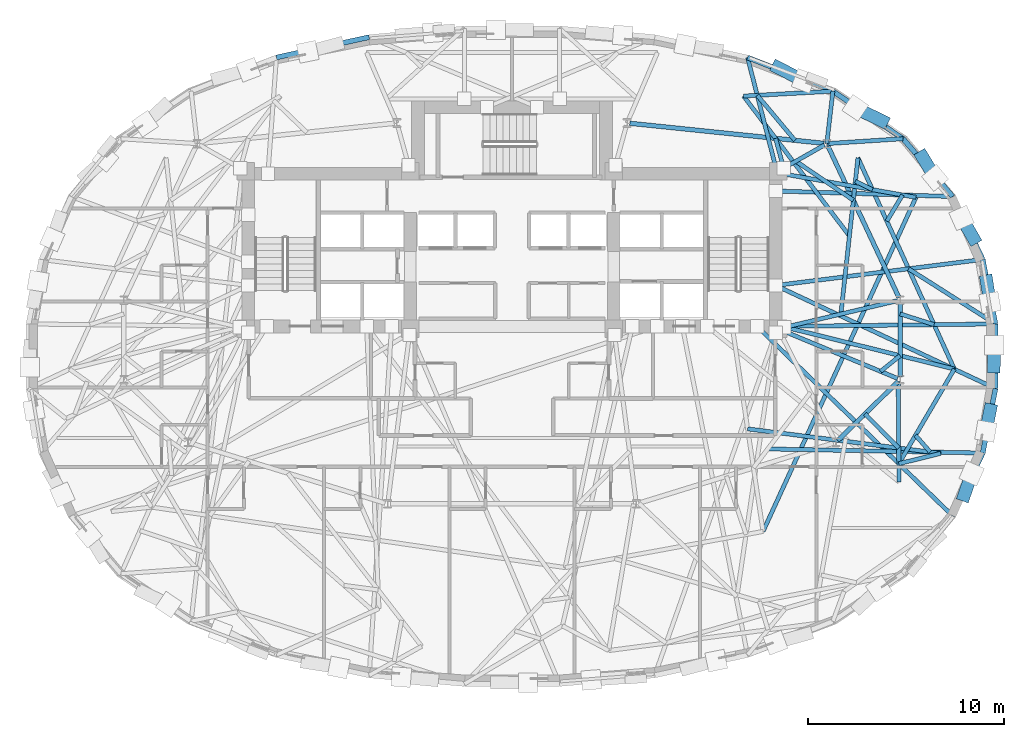
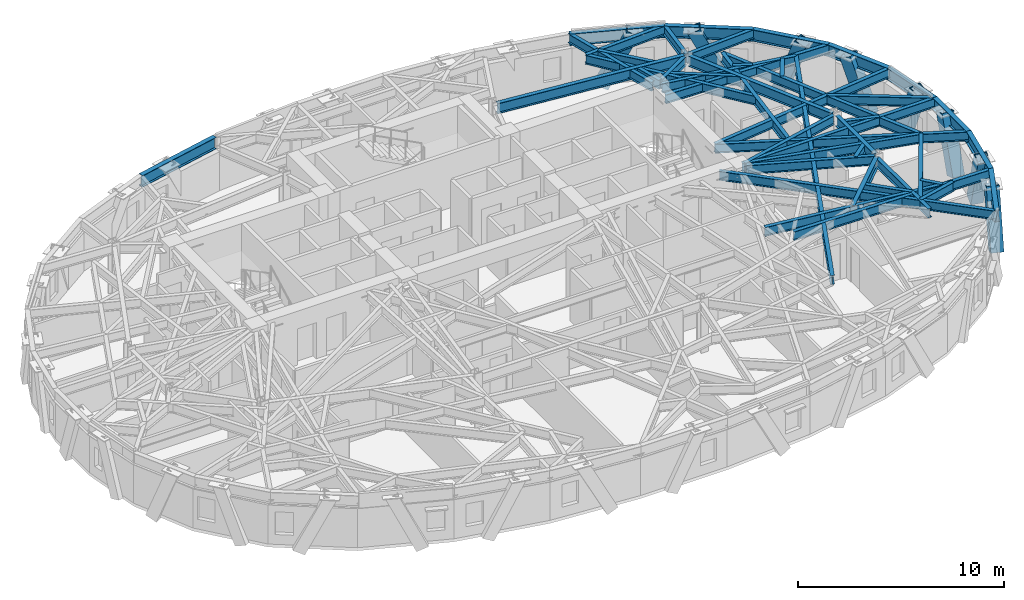
# One storey, part 4 of 15: 46 beams, 8 members.
"""IFC4 building model written with IfcOpenShell, lengths in metres."""

from ifc_helpers import new_model, si_unit, direction, frame, origin, origin_2d, place, context, subcontext, project, spatial, hollow_rectangle, i_section, extrude, material, material_profile, profile_set, type_object, element, save


model = new_model("IFC4")

# Units and contexts
model_context = context("Model", 3, precision=1e-05, world=origin(), true_north=direction((0.0, 1.0)))
body_context = subcontext(model_context, "Body", "Model", "MODEL_VIEW")
ifc_project = project(units=[si_unit("LENGTHUNIT", "METRE"), si_unit("AREAUNIT", "SQUARE_METRE"), si_unit("VOLUMEUNIT", "CUBIC_METRE"), si_unit("PLANEANGLEUNIT", "RADIAN"), si_unit("MASSUNIT", "GRAM", prefix="KILO")], contexts=[model_context])

# Site, building, storey
site_placement = place(None, origin())
site = spatial("IfcSite", under=ifc_project, at=site_placement, CompositionType="ELEMENT")
building_placement = place(site_placement, origin())
building = spatial("IfcBuilding", under=site, at=building_placement, Name="Keldmark Tower", CompositionType="ELEMENT")
storey_placement = place(building_placement, frame((0.0, 0.0, 150.199951171875)))
storey = spatial("IfcBuildingStorey", under=building, at=storey_placement, Name="L40", CompositionType="ELEMENT", Elevation=150.199951171875)

# Members
ifc_material_1 = material(Name="Steel ASTM A572 Grade 50", Category="steel")
ifc_material_profile_1 = material_profile(ifc_material_1, hollow_rectangle(XDim=0.64990234375, YDim=0.64990234375, WallThickness=0.0400390625, at=origin_2d()), Name="BOX650X650X40")
ifc_profile_set_1 = profile_set([ifc_material_profile_1], Name="Steel ASTM A572 Grade 50")
member_type = type_object("IfcMemberType", Name="Diagrid Zone 3 Brace BOX650X650X40", PredefinedType="BRACE", material=ifc_profile_set_1)
member_1_placement = place(storey_placement, frame((24.240234375, 3.848388671875, -0.260009765625), z_axis=(0.054240986577, -0.330032741146, 0.942409839267), x_axis=(0.986762068157, 0.162174661544, 0.0)))
element("IfcMember", 1, at=member_1_placement, inside=storey, type_object=member_type, Name="L40 Perimeter Diagrid Brace 01A", PredefinedType="BRACE", context=body_context, shape_type="SweptSolid", body=[
    extrude(hollow_rectangle(XDim=0.64990234375, YDim=0.64990234375, WallThickness=0.0400390625, at=origin_2d()), origin(), (0.0, 0.0, 1.0), 3.353271484375),
])
member_2_placement = place(storey_placement, frame((23.574951171875, 6.026123046875, -0.260009765625), z_axis=(-0.179422195456, 0.308323257839, 0.934207923566), x_axis=(-0.864306761674, -0.502965030319, 0.0)))
element("IfcMember", 2, at=member_2_placement, inside=storey, type_object=member_type, Name="L40 Perimeter Diagrid Brace 01B", PredefinedType="BRACE", context=body_context, shape_type="SweptSolid", body=[
    extrude(hollow_rectangle(XDim=0.64990234375, YDim=0.64990234375, WallThickness=0.0400390625, at=origin_2d()), origin(), (0.0, 0.0, 1.0), 3.3828125),
])
member_3_placement = place(storey_placement, frame((20.96044921875, 10.195068359375, -0.260009765625), z_axis=(0.192310719836, -0.317696448398, 0.928485623858), x_axis=(0.855475309795, 0.517843600262, 0.0)))
element("IfcMember", 3, at=member_3_placement, inside=storey, type_object=member_type, Name="L40 Perimeter Diagrid Brace 02A", PredefinedType="BRACE", context=body_context, shape_type="SweptSolid", body=[
    extrude(hollow_rectangle(XDim=0.64990234375, YDim=0.64990234375, WallThickness=0.0400390625, at=origin_2d()), origin(), (0.0, 0.0, 1.0), 3.403564453125),
])
member_4_placement = place(storey_placement, frame((18.9306640625, 12.00732421875, -0.260009765625), z_axis=(-0.394893634989, 0.194706909084, 0.897857581468), x_axis=(-0.442228252269, -0.8969025437, 0.0)))
element("IfcMember", 4, at=member_4_placement, inside=storey, type_object=member_type, Name="L40 Perimeter Diagrid Brace 02B", PredefinedType="BRACE", context=body_context, shape_type="SweptSolid", body=[
    extrude(hollow_rectangle(XDim=0.64990234375, YDim=0.64990234375, WallThickness=0.0400390625, at=origin_2d()), origin(), (0.0, 0.0, 1.0), 3.519775390625),
])
member_5_placement = place(storey_placement, frame((13.562744140625, 14.759765625, -0.260009765625), z_axis=(0.382519162566, -0.197744138724, 0.902538833441), x_axis=(0.45922027239, 0.888322431005, 0.0)))
element("IfcMember", 5, at=member_5_placement, inside=storey, type_object=member_type, Name="L40 Perimeter Diagrid Brace 03A", PredefinedType="BRACE", context=body_context, shape_type="SweptSolid", body=[
    extrude(hollow_rectangle(XDim=0.64990234375, YDim=0.64990234375, WallThickness=0.0400390625, at=origin_2d()), origin(), (0.0, 0.0, 1.0), 3.50146484375),
])
member_6_placement = place(storey_placement, frame((23.099853515625, -7.100830078125, -0.260009765625), z_axis=(0.113870706024, 0.330174373919, 0.937026331069), x_axis=(-0.945357561986, 0.326035396844, 0.0)))
element("IfcMember", 6, at=member_6_placement, inside=storey, type_object=member_type, Name="L40 Perimeter Diagrid Brace 15B", PredefinedType="BRACE", context=body_context, shape_type="SweptSolid", body=[
    extrude(hollow_rectangle(XDim=0.64990234375, YDim=0.64990234375, WallThickness=0.0400390625, at=origin_2d()), origin(), (0.0, 0.0, 1.0), 3.37255859375),
])
member_7_placement = place(storey_placement, frame((24.430908203125, -2.7333984375, -0.260009765625), z_axis=(-0.066641570554, -0.326798608827, 0.942741518309), x_axis=(0.979834607176, -0.199810266451, 0.0)))
element("IfcMember", 7, at=member_7_placement, inside=storey, type_object=member_type, Name="L40 Perimeter Diagrid Brace 16A", PredefinedType="BRACE", context=body_context, shape_type="SweptSolid", body=[
    extrude(hollow_rectangle(XDim=0.64990234375, YDim=0.64990234375, WallThickness=0.0400390625, at=origin_2d()), origin(), (0.0, 0.0, 1.0), 3.35205078125),
])
member_8_placement = place(storey_placement, frame((24.61669921875, -0.543212890625, -0.260009765625), z_axis=(0.006640294408, 0.328366206996, 0.944527151856), x_axis=(-0.999795593554, 0.02021808867, 0.0)))
element("IfcMember", 8, at=member_8_placement, inside=storey, type_object=member_type, Name="L40 Perimeter Diagrid Brace 16B", PredefinedType="BRACE", context=body_context, shape_type="SweptSolid", body=[
    extrude(hollow_rectangle(XDim=0.64990234375, YDim=0.64990234375, WallThickness=0.0400390625, at=origin_2d()), origin(), (0.0, 0.0, 1.0), 3.345703125),
])

# Beams
ifc_material_2 = material(Name="Steel ASTM A992 Grade 50", Category="steel")
ifc_material_profile_2 = material_profile(ifc_material_2, i_section(OverallWidth=0.22900390625, OverallDepth=0.612060546875, WebThickness=0.011962890625, FlangeThickness=0.01953125, at=origin_2d()), Name="W24X84")
ifc_profile_set_2 = profile_set([ifc_material_profile_2], Name="Steel ASTM A992 Grade 50")
beam_type_1 = type_object("IfcBeamType", Name="Primary Floor Girder W24X84", PredefinedType="BEAM", material=ifc_profile_set_2)
beam_1_placement = place(storey_placement, frame((19.76904296875, 2.99609375, 2.714111328125), z_axis=(-0.424526823774, 0.905415360979, 0.0), x_axis=(-0.905415360979, -0.424526823774, 0.0)))
element("IfcBeam", 9, at=beam_1_placement, inside=storey, type_object=beam_type_1, Name="L40 Floor Ring Girder FG-R01", PredefinedType="BEAM", context=body_context, shape_type="SweptSolid", body=[
    extrude(i_section(OverallWidth=0.22900390625, OverallDepth=0.612060546875, WebThickness=0.011962890625, FlangeThickness=0.01953125, at=origin_2d()), origin(), (0.0, 0.0, 1.0), 8.54638671875),
])
beam_2_placement = place(storey_placement, frame((15.942138671875, 10.87548828125, 2.714111328125), z_axis=(-0.994702930931, 0.102791435423, 0.0), x_axis=(-0.102791435423, -0.994702930931, 0.0)))
element("IfcBeam", 10, at=beam_2_placement, inside=storey, type_object=beam_type_1, Name="L40 Floor Ring Girder FG-R02", PredefinedType="BEAM", context=body_context, shape_type="SweptSolid", body=[
    extrude(i_section(OverallWidth=0.22900390625, OverallDepth=0.612060546875, WebThickness=0.011962890625, FlangeThickness=0.01953125, at=origin_2d()), origin(), (0.0, 0.0, 1.0), 9.975341796875),
])
beam_3_placement = place(storey_placement, frame((16.646728515625, -4.300537109375, 2.714111328125), z_axis=(0.714964509815, 0.699160746684, 0.0), x_axis=(-0.699160746684, 0.714964509815, 0.0)))
element("IfcBeam", 11, at=beam_3_placement, inside=storey, type_object=beam_type_1, Name="L40 Floor Ring Girder FG-R11", PredefinedType="BEAM", context=body_context, shape_type="SweptSolid", body=[
    extrude(i_section(OverallWidth=0.22900390625, OverallDepth=0.612060546875, WebThickness=0.011962890625, FlangeThickness=0.01953125, at=origin_2d()), origin(), (0.0, 0.0, 1.0), 4.31005859375),
])
beam_4_placement = place(storey_placement, frame((19.828369140625, -1.04931640625, 2.714111328125), z_axis=(0.0, 1.0, 0.0), x_axis=(-1.0, 0.0, 0.0)))
element("IfcBeam", 12, at=beam_4_placement, inside=storey, type_object=beam_type_1, Name="L40 Floor Ring Girder FG-R12", PredefinedType="BEAM", context=body_context, shape_type="SweptSolid", body=[
    extrude(i_section(OverallWidth=0.22900390625, OverallDepth=0.612060546875, WebThickness=0.011962890625, FlangeThickness=0.01953125, at=origin_2d()), origin(), (0.0, 0.0, 1.0), 3.778564453125),
])
ifc_material_3 = material(Name="Steel ASTM A992 Grade 50", Category="steel")
ifc_material_profile_3 = material_profile(ifc_material_3, i_section(OverallWidth=0.2099609375, OverallDepth=0.537109375, WebThickness=0.010986328125, FlangeThickness=0.017333984375, at=origin_2d()), Name="W21X68")
ifc_profile_set_3 = profile_set([ifc_material_profile_3], Name="Steel ASTM A992 Grade 50")
beam_type_2 = type_object("IfcBeamType", Name="Radial Tie Girder W21X68", PredefinedType="BEAM", material=ifc_profile_set_3)
beam_5_placement = place(storey_placement, frame((19.692138671875, 2.837158203125, 2.75146484375), z_axis=(-0.973280062348, -0.229621253887, 0.0), x_axis=(0.229621253887, -0.973280062348, 0.0)))
element("IfcBeam", 13, at=beam_5_placement, inside=storey, type_object=beam_type_2, Name="L40 Floor Radial Girder FG-C01", PredefinedType="BEAM", context=body_context, shape_type="SweptSolid", body=[
    extrude(i_section(OverallWidth=0.2099609375, OverallDepth=0.537109375, WebThickness=0.010986328125, FlangeThickness=0.017333984375, at=origin_2d()), origin(), (0.0, 0.0, 1.0), 5.939208984375),
])
beam_6_placement = place(storey_placement, frame((15.959716796875, 10.791748046875, 2.75146484375), z_axis=(-0.86929527307, -0.494293160197, 0.0), x_axis=(0.494293160197, -0.86929527307, 0.0)))
element("IfcBeam", 14, at=beam_6_placement, inside=storey, type_object=beam_type_2, Name="L40 Floor Radial Girder FG-C02", PredefinedType="BEAM", context=body_context, shape_type="SweptSolid", body=[
    extrude(i_section(OverallWidth=0.2099609375, OverallDepth=0.537109375, WebThickness=0.010986328125, FlangeThickness=0.017333984375, at=origin_2d()), origin(), (0.0, 0.0, 1.0), 2.39453125),
])
beam_7_placement = place(storey_placement, frame((19.69921875, -1.135498046875, 2.75146484375), z_axis=(-0.923393794893, 0.383854008124, 0.0), x_axis=(-0.383854008124, -0.923393794893, 0.0)))
element("IfcBeam", 15, at=beam_7_placement, inside=storey, type_object=beam_type_2, Name="L40 Floor Radial Girder FG-C12", PredefinedType="BEAM", context=body_context, shape_type="SweptSolid", body=[
    extrude(i_section(OverallWidth=0.2099609375, OverallDepth=0.537109375, WebThickness=0.010986328125, FlangeThickness=0.017333984375, at=origin_2d()), origin(), (0.0, 0.0, 1.0), 6.28515625),
])
beam_8_placement = place(storey_placement, frame((14.502685546875, 9.96337890625, 2.75146484375), z_axis=(0.827254116677, -0.561827933127, 0.0), x_axis=(0.561827933127, 0.827254116677, 0.0)))
element("IfcBeam", 16, at=beam_8_placement, inside=storey, type_object=beam_type_2, Name="L40 Framing Pin Header PH-001", PredefinedType="BEAM", context=body_context, shape_type="SweptSolid", body=[
    extrude(i_section(OverallWidth=0.2099609375, OverallDepth=0.537109375, WebThickness=0.010986328125, FlangeThickness=0.017333984375, at=origin_2d()), origin(), (0.0, 0.0, 1.0), 3.546875),
])
beam_9_placement = place(storey_placement, frame((16.8017578125, 2.1552734375, 2.75146484375), z_axis=(0.108542045619, 0.994091859102, 0.0), x_axis=(-0.994091859102, 0.108542045619, 0.0)))
element("IfcBeam", 17, at=beam_9_placement, inside=storey, type_object=beam_type_2, Name="L40 Sub-Ring Step Girder STP1-M01", PredefinedType="BEAM", context=body_context, shape_type="SweptSolid", body=[
    extrude(i_section(OverallWidth=0.2099609375, OverallDepth=0.537109375, WebThickness=0.010986328125, FlangeThickness=0.017333984375, at=origin_2d()), origin(), (0.0, 0.0, 1.0), 8.027587890625),
])
beam_10_placement = place(storey_placement, frame((18.82861328125, -0.773681640625, 2.75146484375), z_axis=(0.77891650182, 0.627127645055, 0.0), x_axis=(-0.627127645055, 0.77891650182, 0.0)))
element("IfcBeam", 18, at=beam_10_placement, inside=storey, type_object=beam_type_2, Name="L40 Framing Pin Header PH-004", PredefinedType="BEAM", context=body_context, shape_type="SweptSolid", body=[
    extrude(i_section(OverallWidth=0.2099609375, OverallDepth=0.537109375, WebThickness=0.010986328125, FlangeThickness=0.017333984375, at=origin_2d()), origin(), (0.0, 0.0, 1.0), 1.283447265625),
])
beam_11_placement = place(storey_placement, frame((13.800048828125, 1.52490234375, 2.75146484375), z_axis=(0.97064578755, -0.240513523761, 0.0), x_axis=(0.240513523761, 0.97064578755, 0.0)))
element("IfcBeam", 19, at=beam_11_placement, inside=storey, type_object=beam_type_2, Name="L40 Sub-Ring Step Girder STP1-M12", PredefinedType="BEAM", context=body_context, shape_type="SweptSolid", body=[
    extrude(i_section(OverallWidth=0.2099609375, OverallDepth=0.537109375, WebThickness=0.010986328125, FlangeThickness=0.017333984375, at=origin_2d()), origin(), (0.0, 0.0, 1.0), 9.064697265625),
])
beam_12_placement = place(storey_placement, frame((22.5986328125, -0.6552734375, 2.75146484375), z_axis=(-0.415244584296, 0.909709808243, 0.0), x_axis=(-0.909709808243, -0.415244584296, 0.0)))
element("IfcBeam", 20, at=beam_12_placement, inside=storey, type_object=beam_type_2, Name="L40 Perimeter Collector Ring Beam CRG1-M12", PredefinedType="BEAM", context=body_context, shape_type="SweptSolid", body=[
    extrude(i_section(OverallWidth=0.2099609375, OverallDepth=0.537109375, WebThickness=0.010986328125, FlangeThickness=0.017333984375, at=origin_2d()), origin(), (0.0, 0.0, 1.0), 11.86181640625),
])
beam_13_placement = place(storey_placement, frame((17.542236328125, 8.9384765625, 2.75146484375), z_axis=(0.897517730631, -0.440978370447, 0.0), x_axis=(0.440978370447, 0.897517730631, 0.0)))
element("IfcBeam", 21, at=beam_13_placement, inside=storey, type_object=beam_type_2, Name="L40 Framing Pin Header PH-005", PredefinedType="BEAM", context=body_context, shape_type="SweptSolid", body=[
    extrude(i_section(OverallWidth=0.2099609375, OverallDepth=0.537109375, WebThickness=0.010986328125, FlangeThickness=0.017333984375, at=origin_2d()), origin(), (0.0, 0.0, 1.0), 0.97265625),
])
beam_14_placement = place(storey_placement, frame((13.800048828125, 9.324951171875, 2.75146484375), z_axis=(0.984746720193, -0.173993956989, 0.0), x_axis=(0.173993956989, 0.984746720193, 0.0)))
element("IfcBeam", 22, at=beam_14_placement, inside=storey, type_object=beam_type_2, Name="L40 Sub-Ring Step Girder STP2-M01", PredefinedType="BEAM", context=body_context, shape_type="SweptSolid", body=[
    extrude(i_section(OverallWidth=0.2099609375, OverallDepth=0.537109375, WebThickness=0.010986328125, FlangeThickness=0.017333984375, at=origin_2d()), origin(), (0.0, 0.0, 1.0), 6.94287109375),
])
beam_15_placement = place(storey_placement, frame((12.825439453125, -8.94873046875, 2.75146484375), z_axis=(0.416203616054, 0.909271439111, 0.0), x_axis=(-0.909271439111, 0.416203616054, 0.0)))
element("IfcBeam", 23, at=beam_15_placement, inside=storey, type_object=beam_type_2, Name="L40 Perimeter Collector Ring Beam CRG2-M11", PredefinedType="BEAM", context=body_context, shape_type="SweptSolid", body=[
    extrude(i_section(OverallWidth=0.2099609375, OverallDepth=0.537109375, WebThickness=0.010986328125, FlangeThickness=0.017333984375, at=origin_2d()), origin(), (0.0, 0.0, 1.0), 18.7685546875),
])
beam_16_placement = place(storey_placement, frame((19.828369140625, 2.162353515625, 2.75146484375), z_axis=(0.95338983748, -0.301741309385, 0.0), x_axis=(0.301741309385, 0.95338983748, 0.0)))
element("IfcBeam", 24, at=beam_16_placement, inside=storey, type_object=beam_type_2, Name="L40 Framing Pin Header PH-009", PredefinedType="BEAM", context=body_context, shape_type="SweptSolid", body=[
    extrude(i_section(OverallWidth=0.2099609375, OverallDepth=0.537109375, WebThickness=0.010986328125, FlangeThickness=0.017333984375, at=origin_2d()), origin(), (0.0, 0.0, 1.0), 1.819580078125),
])
beam_17_placement = place(storey_placement, frame((13.800048828125, 1.52490234375, 2.75146484375), z_axis=(0.999935257805, 0.011378936649, 0.0), x_axis=(-0.011378936649, 0.999935257805, 0.0)))
element("IfcBeam", 25, at=beam_17_placement, inside=storey, type_object=beam_type_2, Name="L40 Perimeter Radial Tie Girder RT-01", PredefinedType="BEAM", context=body_context, shape_type="SweptSolid", body=[
    extrude(i_section(OverallWidth=0.2099609375, OverallDepth=0.537109375, WebThickness=0.010986328125, FlangeThickness=0.017333984375, at=origin_2d()), origin(), (0.0, 0.0, 1.0), 10.8994140625),
])
beam_18_placement = place(storey_placement, frame((24.69873046875, 1.64892578125, 2.75146484375), z_axis=(-0.84413910662, 0.536124210117, 0.0), x_axis=(-0.536124210117, -0.84413910662, 0.0)))
element("IfcBeam", 26, at=beam_18_placement, inside=storey, type_object=beam_type_2, Name="L40 Framing Pin Header PH-010", PredefinedType="BEAM", context=body_context, shape_type="SweptSolid", body=[
    extrude(i_section(OverallWidth=0.2099609375, OverallDepth=0.537109375, WebThickness=0.010986328125, FlangeThickness=0.017333984375, at=origin_2d()), origin(), (0.0, 0.0, 1.0), 5.25830078125),
])
beam_19_placement = place(storey_placement, frame((13.47509765625, 3.6142578125, 2.75146484375), z_axis=(0.992174260408, 0.124860870511, 0.0), x_axis=(-0.124860870511, 0.992174260408, 0.0)))
element("IfcBeam", 27, at=beam_19_placement, inside=storey, type_object=beam_type_2, Name="L40 Perimeter Radial Tie Girder RT-02", PredefinedType="BEAM", context=body_context, shape_type="SweptSolid", body=[
    extrude(i_section(OverallWidth=0.2099609375, OverallDepth=0.537109375, WebThickness=0.010986328125, FlangeThickness=0.017333984375, at=origin_2d()), origin(), (0.0, 0.0, 1.0), 10.656494140625),
])
beam_20_placement = place(storey_placement, frame((19.150634765625, 6.898193359375, 2.75146484375), z_axis=(0.512377495985, 0.858760328385, 0.0), x_axis=(-0.858760328385, 0.512377495985, 0.0)))
element("IfcBeam", 28, at=beam_20_placement, inside=storey, type_object=beam_type_2, Name="L40 Framing Pin Header PH-011", PredefinedType="BEAM", context=body_context, shape_type="SweptSolid", body=[
    extrude(i_section(OverallWidth=0.2099609375, OverallDepth=0.537109375, WebThickness=0.010986328125, FlangeThickness=0.017333984375, at=origin_2d()), origin(), (0.0, 0.0, 1.0), 1.560546875),
])
beam_21_placement = place(storey_placement, frame((13.47509765625, 8.44287109375, 2.75146484375), z_axis=(0.999501058157, -0.031585356473, 0.0), x_axis=(0.031585356473, 0.999501058157, 0.0)))
element("IfcBeam", 29, at=beam_21_placement, inside=storey, type_object=beam_type_2, Name="L40 Perimeter Radial Tie Girder RT-03", PredefinedType="BEAM", context=body_context, shape_type="SweptSolid", body=[
    extrude(i_section(OverallWidth=0.2099609375, OverallDepth=0.537109375, WebThickness=0.010986328125, FlangeThickness=0.017333984375, at=origin_2d()), origin(), (0.0, 0.0, 1.0), 9.04345703125),
])
beam_22_placement = place(storey_placement, frame((16.08154296875, 10.861083984375, 2.75146484375), z_axis=(0.997928938614, 0.064325993786, 0.0), x_axis=(-0.064325993786, 0.997928938614, 0.0)))
element("IfcBeam", 30, at=beam_22_placement, inside=storey, type_object=beam_type_2, Name="L40 Perimeter Column Bracket RT-04", PredefinedType="BEAM", context=body_context, shape_type="SweptSolid", body=[
    extrude(i_section(OverallWidth=0.2099609375, OverallDepth=0.537109375, WebThickness=0.010986328125, FlangeThickness=0.017333984375, at=origin_2d()), origin(), (0.0, 0.0, 1.0), 3.901611328125),
])
beam_23_placement = place(storey_placement, frame((16.08154296875, 10.861083984375, 2.75146484375), z_axis=(0.115507089464, 0.993306655713, 0.0), x_axis=(-0.993306655713, 0.115507089464, 0.0)))
element("IfcBeam", 31, at=beam_23_placement, inside=storey, type_object=beam_type_2, Name="L40 Perimeter Column Bracket RT-05", PredefinedType="BEAM", context=body_context, shape_type="SweptSolid", body=[
    extrude(i_section(OverallWidth=0.2099609375, OverallDepth=0.537109375, WebThickness=0.010986328125, FlangeThickness=0.017333984375, at=origin_2d()), origin(), (0.0, 0.0, 1.0), 2.697021484375),
])
beam_24_placement = place(storey_placement, frame((13.878173828125, 9.608154296875, 2.75146484375), z_axis=(-0.262030897105, 0.965059484676, 0.0), x_axis=(-0.965059484676, -0.262030897105, 0.0)))
element("IfcBeam", 32, at=beam_24_placement, inside=storey, type_object=beam_type_2, Name="L40 Framing Pin Header PH-012", PredefinedType="BEAM", context=body_context, shape_type="SweptSolid", body=[
    extrude(i_section(OverallWidth=0.2099609375, OverallDepth=0.537109375, WebThickness=0.010986328125, FlangeThickness=0.017333984375, at=origin_2d()), origin(), (0.0, 0.0, 1.0), 1.578369140625),
])
beam_25_placement = place(storey_placement, frame((17.2373046875, 6.1455078125, 2.75146484375), z_axis=(-0.603381799177, 0.797452446496, 0.0), x_axis=(-0.797452446496, -0.603381799177, 0.0)))
element("IfcBeam", 33, at=beam_25_placement, inside=storey, type_object=beam_type_2, Name="L40 Intermediate Radial Step Girder RT-06M", PredefinedType="BEAM", context=body_context, shape_type="SweptSolid", body=[
    extrude(i_section(OverallWidth=0.2099609375, OverallDepth=0.537109375, WebThickness=0.010986328125, FlangeThickness=0.017333984375, at=origin_2d()), origin(), (0.0, 0.0, 1.0), 8.960693359375),
])
beam_26_placement = place(storey_placement, frame((16.39306640625, 13.5400390625, 2.75146484375), z_axis=(-0.998516711572, -0.054446089956, 0.0), x_axis=(0.054446089956, -0.998516711572, 0.0)))
element("IfcBeam", 34, at=beam_26_placement, inside=storey, type_object=beam_type_2, Name="L40 Local Collector Chord RT-06C", PredefinedType="BEAM", context=body_context, shape_type="SweptSolid", body=[
    extrude(i_section(OverallWidth=0.2099609375, OverallDepth=0.537109375, WebThickness=0.010986328125, FlangeThickness=0.017333984375, at=origin_2d()), origin(), (0.0, 0.0, 1.0), 4.5693359375),
])
beam_27_placement = place(storey_placement, frame((14.453857421875, 11.029296875, 2.75146484375), z_axis=(-0.641536907309, 0.767092169534, 0.0), x_axis=(-0.767092169534, -0.641536907309, 0.0)))
element("IfcBeam", 35, at=beam_27_placement, inside=storey, type_object=beam_type_2, Name="L40 Framing Pin Header PH-013", PredefinedType="BEAM", context=body_context, shape_type="SweptSolid", body=[
    extrude(i_section(OverallWidth=0.2099609375, OverallDepth=0.537109375, WebThickness=0.010986328125, FlangeThickness=0.017333984375, at=origin_2d()), origin(), (0.0, 0.0, 1.0), 2.998291015625),
])
beam_28_placement = place(storey_placement, frame((13.47509765625, 9.64990234375, 2.75146484375), z_axis=(-0.248728180948, 0.968573328149, 0.0), x_axis=(-0.968573328149, -0.248728180948, 0.0)))
element("IfcBeam", 36, at=beam_28_placement, inside=storey, type_object=beam_type_2, Name="L40 Perimeter Radial Tie Girder RT-06", PredefinedType="BEAM", context=body_context, shape_type="SweptSolid", body=[
    extrude(i_section(OverallWidth=0.2099609375, OverallDepth=0.537109375, WebThickness=0.010986328125, FlangeThickness=0.017333984375, at=origin_2d()), origin(), (0.0, 0.0, 1.0), 5.793212890625),
])
beam_29_placement = place(storey_placement, frame((19.728271484375, -1.287109375, 2.75146484375), z_axis=(0.007855030209, -0.999969148774, 0.0), x_axis=(0.999969148774, 0.007855030209, 0.0)))
element("IfcBeam", 37, at=beam_29_placement, inside=storey, type_object=beam_type_2, Name="L40 Local Collector Chord RT-30C", PredefinedType="BEAM", context=body_context, shape_type="SweptSolid", body=[
    extrude(i_section(OverallWidth=0.2099609375, OverallDepth=0.537109375, WebThickness=0.010986328125, FlangeThickness=0.017333984375, at=origin_2d()), origin(), (0.0, 0.0, 1.0), 5.12841796875),
])
beam_30_placement = place(storey_placement, frame((22.5986328125, -0.6552734375, 2.75146484375), z_axis=(-0.506228035145, -0.862399661661, 0.0), x_axis=(0.862399661661, -0.506228035145, 0.0)))
element("IfcBeam", 38, at=beam_30_placement, inside=storey, type_object=beam_type_2, Name="L40 Framing Pin Header PH-035", PredefinedType="BEAM", context=body_context, shape_type="SweptSolid", body=[
    extrude(i_section(OverallWidth=0.2099609375, OverallDepth=0.537109375, WebThickness=0.010986328125, FlangeThickness=0.017333984375, at=origin_2d()), origin(), (0.0, 0.0, 1.0), 5.60498046875),
])
beam_31_placement = place(storey_placement, frame((12.52490234375, 1.52490234375, 2.75146484375), z_axis=(0.718059309473, -0.695981916489, 0.0), x_axis=(0.695981916489, 0.718059309473, 0.0)))
element("IfcBeam", 39, at=beam_31_placement, inside=storey, type_object=beam_type_2, Name="L40 Perimeter Radial Tie Girder RT-30", PredefinedType="BEAM", context=body_context, shape_type="SweptSolid", body=[
    extrude(i_section(OverallWidth=0.2099609375, OverallDepth=0.537109375, WebThickness=0.010986328125, FlangeThickness=0.017333984375, at=origin_2d()), origin(), (0.0, 0.0, 1.0), 13.911376953125),
])
beam_32_placement = place(storey_placement, frame((18.033447265625, -2.944580078125, 2.75146484375), z_axis=(0.702259817872, -0.711920745731, 0.0), x_axis=(0.711920745731, 0.702259817872, 0.0)))
element("IfcBeam", 40, at=beam_32_placement, inside=storey, type_object=beam_type_2, Name="L40 Framing Pin Header PH-036", PredefinedType="BEAM", context=body_context, shape_type="SweptSolid", body=[
    extrude(i_section(OverallWidth=0.2099609375, OverallDepth=0.537109375, WebThickness=0.010986328125, FlangeThickness=0.017333984375, at=origin_2d()), origin(), (0.0, 0.0, 1.0), 2.451171875),
])
beam_33_placement = place(storey_placement, frame((12.03759765625, -3.7119140625, 2.75146484375), z_axis=(0.992070651411, -0.125681433033, 0.0), x_axis=(0.125681433033, 0.992070651411, 0.0)))
element("IfcBeam", 41, at=beam_33_placement, inside=storey, type_object=beam_type_2, Name="L40 Intermediate Radial Step Girder RT-31M", PredefinedType="BEAM", context=body_context, shape_type="SweptSolid", body=[
    extrude(i_section(OverallWidth=0.2099609375, OverallDepth=0.537109375, WebThickness=0.010986328125, FlangeThickness=0.017333984375, at=origin_2d()), origin(), (0.0, 0.0, 1.0), 9.94384765625),
])
beam_34_placement = place(storey_placement, frame((19.76123046875, -5.489013671875, 2.75146484375), z_axis=(0.970989575246, 0.239121819922, 0.0), x_axis=(-0.239121819922, 0.970989575246, 0.0)))
element("IfcBeam", 42, at=beam_34_placement, inside=storey, type_object=beam_type_2, Name="L40 Local Collector Chord RT-31C", PredefinedType="BEAM", context=body_context, shape_type="SweptSolid", body=[
    extrude(i_section(OverallWidth=0.2099609375, OverallDepth=0.537109375, WebThickness=0.010986328125, FlangeThickness=0.017333984375, at=origin_2d()), origin(), (0.0, 0.0, 1.0), 2.205322265625),
])
beam_35_placement = place(storey_placement, frame((20.612548828125, -4.038818359375, 2.75146484375), z_axis=(0.661501222741, -0.749944086124, 0.0), x_axis=(0.749944086124, 0.661501222741, 0.0)))
element("IfcBeam", 43, at=beam_35_placement, inside=storey, type_object=beam_type_2, Name="L40 Framing Pin Header PH-037", PredefinedType="BEAM", context=body_context, shape_type="SweptSolid", body=[
    extrude(i_section(OverallWidth=0.2099609375, OverallDepth=0.537109375, WebThickness=0.010986328125, FlangeThickness=0.017333984375, at=origin_2d()), origin(), (0.0, 0.0, 1.0), 1.14013671875),
])
beam_36_placement = place(storey_placement, frame((13.065185546875, -4.73583984375, 2.75146484375), z_axis=(0.99981901405, -0.019024698262, 0.0), x_axis=(0.019024698262, 0.99981901405, 0.0)))
element("IfcBeam", 44, at=beam_36_placement, inside=storey, type_object=beam_type_2, Name="L40 Perimeter Radial Tie Girder RT-31", PredefinedType="BEAM", context=body_context, shape_type="SweptSolid", body=[
    extrude(i_section(OverallWidth=0.2099609375, OverallDepth=0.537109375, WebThickness=0.010986328125, FlangeThickness=0.017333984375, at=origin_2d()), origin(), (0.0, 0.0, 1.0), 10.98486328125),
])
beam_37_placement = place(storey_placement, frame((13.47509765625, 3.6142578125, 2.75146484375), z_axis=(0.905393644978, -0.424573135788, 0.0), x_axis=(0.424573135788, 0.905393644978, 0.0)))
element("IfcBeam", 45, at=beam_37_placement, inside=storey, type_object=beam_type_2, Name="L40 Perimeter Radial Tie Girder RT-32", PredefinedType="BEAM", context=body_context, shape_type="SweptSolid", body=[
    extrude(i_section(OverallWidth=0.2099609375, OverallDepth=0.537109375, WebThickness=0.010986328125, FlangeThickness=0.017333984375, at=origin_2d()), origin(), (0.0, 0.0, 1.0), 12.396484375),
])
ifc_material_4 = material(Name="Steel ASTM A992 Grade 50", Category="steel")
ifc_material_profile_4 = material_profile(ifc_material_4, i_section(OverallWidth=0.256103515625, OverallDepth=0.693115234375, WebThickness=0.014404296875, FlangeThickness=0.023681640625, at=origin_2d()), Name="W27X114")
ifc_profile_set_4 = profile_set([ifc_material_profile_4], Name="Steel ASTM A992 Grade 50")
beam_type_3 = type_object("IfcBeamType", Name="Spandrel Ring Beam W27X114", PredefinedType="SPANDREL", material=ifc_profile_set_4)
beam_38_placement = place(storey_placement, frame((24.69873046875, 1.64892578125, 2.673583984375), z_axis=(-0.193669845908, 0.981066761635, 0.0), x_axis=(-0.981066761635, -0.193669845908, 0.0)))
element("IfcBeam", 46, at=beam_38_placement, inside=storey, type_object=beam_type_3, Name="L40 Perimeter Spandrel Ring Beam SRB-01", PredefinedType="SPANDREL", context=body_context, shape_type="SweptSolid", body=[
    extrude(i_section(OverallWidth=0.256103515625, OverallDepth=0.693115234375, WebThickness=0.014404296875, FlangeThickness=0.023681640625, at=origin_2d()), origin(), (0.0, 0.0, 1.0), 3.359619140625),
])
beam_39_placement = place(storey_placement, frame((24.048095703125, 4.94482421875, 2.673583984375), z_axis=(-0.430899691529, 0.902399831472, 0.0), x_axis=(-0.902399831472, -0.430899691529, 0.0)))
element("IfcBeam", 47, at=beam_39_placement, inside=storey, type_object=beam_type_3, Name="L40 Perimeter Spandrel Ring Beam SRB-02", PredefinedType="SPANDREL", context=body_context, shape_type="SweptSolid", body=[
    extrude(i_section(OverallWidth=0.256103515625, OverallDepth=0.693115234375, WebThickness=0.014404296875, FlangeThickness=0.023681640625, at=origin_2d()), origin(), (0.0, 0.0, 1.0), 3.559814453125),
])
beam_40_placement = place(storey_placement, frame((22.51416015625, 8.1572265625, 2.673583984375), z_axis=(-0.651730133618, 0.758450942998, 0.0), x_axis=(-0.758450942998, -0.651730133618, 0.0)))
element("IfcBeam", 48, at=beam_40_placement, inside=storey, type_object=beam_type_3, Name="L40 Perimeter Spandrel Ring Beam SRB-03", PredefinedType="SPANDREL", context=body_context, shape_type="SweptSolid", body=[
    extrude(i_section(OverallWidth=0.256103515625, OverallDepth=0.693115234375, WebThickness=0.014404296875, FlangeThickness=0.023681640625, at=origin_2d()), origin(), (0.0, 0.0, 1.0), 3.89599609375),
])
beam_41_placement = place(storey_placement, frame((19.97509765625, 11.112060546875, 2.673583984375), z_axis=(-0.827764012693, 0.561076411276, 0.0), x_axis=(-0.561076411276, -0.827764012693, 0.0)))
element("IfcBeam", 49, at=beam_41_placement, inside=storey, type_object=beam_type_3, Name="L40 Perimeter Spandrel Ring Beam SRB-04", PredefinedType="SPANDREL", context=body_context, shape_type="SweptSolid", body=[
    extrude(i_section(OverallWidth=0.256103515625, OverallDepth=0.693115234375, WebThickness=0.014404296875, FlangeThickness=0.023681640625, at=origin_2d()), origin(), (0.0, 0.0, 1.0), 4.327392578125),
])
beam_42_placement = place(storey_placement, frame((16.39306640625, 13.5400390625, 2.673583984375), z_axis=(-0.930130872211, 0.367228213186, 0.0), x_axis=(-0.367228213186, -0.930130872211, 0.0)))
element("IfcBeam", 50, at=beam_42_placement, inside=storey, type_object=beam_type_3, Name="L40 Perimeter Spandrel Ring Beam SRB-05", PredefinedType="SPANDREL", context=body_context, shape_type="SweptSolid", body=[
    extrude(i_section(OverallWidth=0.256103515625, OverallDepth=0.693115234375, WebThickness=0.014404296875, FlangeThickness=0.023681640625, at=origin_2d()), origin(), (0.0, 0.0, 1.0), 4.686279296875),
])
beam_43_placement = place(storey_placement, frame((-7.294921875, 16.30078125, 2.673583984375), z_axis=(-0.976767211892, -0.214303088576, 0.0), x_axis=(0.214303088576, -0.976767211892, 0.0)))
element("IfcBeam", 51, at=beam_43_placement, inside=storey, type_object=beam_type_3, Name="L40 Perimeter Spandrel Ring Beam SRB-10", PredefinedType="SPANDREL", context=body_context, shape_type="SweptSolid", body=[
    extrude(i_section(OverallWidth=0.256103515625, OverallDepth=0.693115234375, WebThickness=0.014404296875, FlangeThickness=0.023681640625, at=origin_2d()), origin(), (0.0, 0.0, 1.0), 4.85205078125),
])
beam_44_placement = place(storey_placement, frame((22.51416015625, -8.1572265625, 2.673583984375), z_axis=(0.430899691529, 0.902399831472, 0.0), x_axis=(-0.902399831472, 0.430899691529, 0.0)))
element("IfcBeam", 52, at=beam_44_placement, inside=storey, type_object=beam_type_3, Name="L40 Perimeter Spandrel Ring Beam SRB-30", PredefinedType="SPANDREL", context=body_context, shape_type="SweptSolid", body=[
    extrude(i_section(OverallWidth=0.256103515625, OverallDepth=0.693115234375, WebThickness=0.014404296875, FlangeThickness=0.023681640625, at=origin_2d()), origin(), (0.0, 0.0, 1.0), 3.559814453125),
])
beam_45_placement = place(storey_placement, frame((24.048095703125, -4.94482421875, 2.673583984375), z_axis=(0.193669845908, 0.981066761635, 0.0), x_axis=(-0.981066761635, 0.193669845908, 0.0)))
element("IfcBeam", 53, at=beam_45_placement, inside=storey, type_object=beam_type_3, Name="L40 Perimeter Spandrel Ring Beam SRB-31", PredefinedType="SPANDREL", context=body_context, shape_type="SweptSolid", body=[
    extrude(i_section(OverallWidth=0.256103515625, OverallDepth=0.693115234375, WebThickness=0.014404296875, FlangeThickness=0.023681640625, at=origin_2d()), origin(), (0.0, 0.0, 1.0), 3.359619140625),
])
beam_46_placement = place(storey_placement, frame((24.69873046875, -1.64892578125, 2.673583984375), z_axis=(0.0, 1.0, 0.0), x_axis=(-1.0, 0.0, 0.0)))
element("IfcBeam", 54, at=beam_46_placement, inside=storey, type_object=beam_type_3, Name="L40 Perimeter Spandrel Ring Beam SRB-32", PredefinedType="SPANDREL", context=body_context, shape_type="SweptSolid", body=[
    extrude(i_section(OverallWidth=0.256103515625, OverallDepth=0.693115234375, WebThickness=0.014404296875, FlangeThickness=0.023681640625, at=origin_2d()), origin(), (0.0, 0.0, 1.0), 3.2978515625),
])

save(model, "model.ifc")
